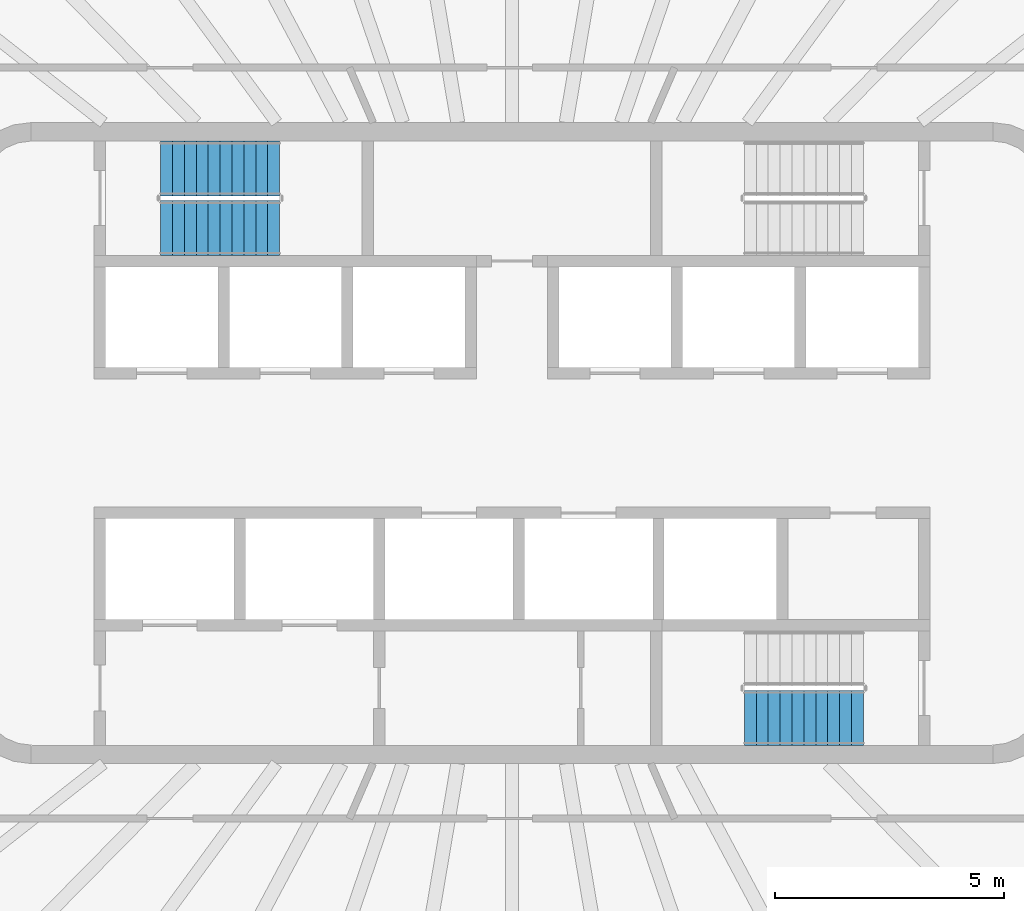
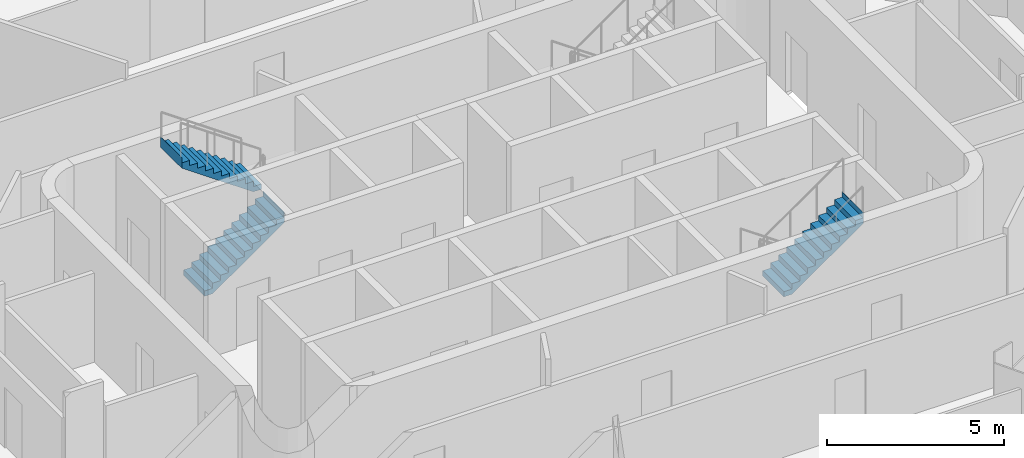
# One storey, part 12 of 18: 3 stair flights, 2 elements without a shape of their own.
"""IFC4 building model written with IfcOpenShell, lengths in metres."""

from ifc_helpers import new_model, si_unit, direction, frame, origin, place, context, subcontext, project, spatial, triangles, material, type_object, element, aggregate, save


model = new_model("IFC4")

# Units and contexts
model_context = context("Model", 3, precision=1e-05, world=origin(), true_north=direction((0.0, 1.0)))
body_context = subcontext(model_context, "Body", "Model", "MODEL_VIEW")
ifc_project = project(units=[si_unit("LENGTHUNIT", "METRE"), si_unit("AREAUNIT", "SQUARE_METRE"), si_unit("VOLUMEUNIT", "CUBIC_METRE"), si_unit("PLANEANGLEUNIT", "RADIAN"), si_unit("MASSUNIT", "GRAM", prefix="KILO")], contexts=[model_context])

# Site, building, storey
site_placement = place(None, origin())
site = spatial("IfcSite", under=ifc_project, at=site_placement, CompositionType="ELEMENT")
building_placement = place(site_placement, origin())
building = spatial("IfcBuilding", under=site, at=building_placement, Name="Sahrelin Media Tower", CompositionType="ELEMENT")
storey_placement = place(building_placement, frame((0.0, 0.0, 312.39990234375)))
storey = spatial("IfcBuildingStorey", under=building, at=storey_placement, Name="L69", CompositionType="ELEMENT", Elevation=312.39990234375)

# Stair, stair flights
ifc_material = material(Name="Concrete C40/50", Category="concrete")
stair_type = type_object("IfcStairType", Name="Exit stair 1200", PredefinedType="HALF_TURN_STAIR", material=ifc_material)
placement = place(storey_placement, origin())
stair_1 = element("IfcStair", 1, at=placement, inside=storey, type_object=stair_type, Name="L69 Exit stair ST1", PredefinedType="HALF_TURN_STAIR")
stair_flight_type = type_object("IfcStairFlightType", Name="Stair flight 1200", PredefinedType="STRAIGHT", material=ifc_material)
stair_flight_1_placement = place(storey_placement, frame((-7.675048828125, 4.699951171875, 0.0), z_axis=(0.0, 0.0, 1.0), x_axis=(1.0, 0.0, 0.0)))
stair_flight_1 = element("IfcStairFlight", 2, at=stair_flight_1_placement, type_object=stair_flight_type, Name="ST1 flight 1", NumberOfRisers=11, NumberOfTreads=10, PredefinedType="STRAIGHT", RiserHeight=0.181818182, TreadLength=0.26, context=body_context, shape_type="Tessellation", body=[
    triangles([(0.261474609375, 0.60009765625, 0.0), (0.261474609375, 0.300048828125, 0.0), (0.261474609375, 0.0, 0.0), (0.261474609375, -0.300048828125, 0.0), (0.261474609375, -0.60009765625, 0.0), (2.60009765625, 0.60009765625, 1.63525390625), (2.60009765625, 0.300048828125, 1.63525390625), (2.60009765625, 0.0, 1.63525390625), (2.60009765625, -0.300048828125, 1.63525390625), (2.60009765625, -0.60009765625, 1.63525390625), (2.60009765625, 0.60009765625, 2.0), (2.60009765625, 0.300048828125, 2.0), (2.60009765625, 0.0, 2.0), (2.60009765625, -0.300048828125, 2.0), (2.60009765625, -0.60009765625, 2.0), (2.597900390625, 0.60009765625, 2.0), (2.597900390625, 0.300048828125, 2.0), (2.597900390625, 0.0, 2.0), (2.597900390625, -0.300048828125, 2.0), (2.597900390625, -0.60009765625, 2.0), (2.597900390625, 0.60009765625, 1.818115234375), (2.597900390625, 0.300048828125, 1.818115234375), (2.597900390625, 0.0, 1.818115234375), (2.597900390625, -0.300048828125, 1.818115234375), (2.597900390625, -0.60009765625, 1.818115234375), (2.340087890625, 0.60009765625, 1.818115234375), (2.340087890625, 0.300048828125, 1.818115234375), (2.340087890625, 0.0, 1.818115234375), (2.340087890625, -0.300048828125, 1.818115234375), (2.340087890625, -0.60009765625, 1.818115234375), (2.340087890625, 0.60009765625, 1.636474609375), (2.340087890625, 0.300048828125, 1.636474609375), (2.340087890625, 0.0, 1.636474609375), (2.340087890625, -0.300048828125, 1.636474609375), (2.340087890625, -0.60009765625, 1.636474609375), (2.080078125, 0.60009765625, 1.636474609375), (2.080078125, 0.300048828125, 1.636474609375), (2.080078125, 0.0, 1.636474609375), (2.080078125, -0.300048828125, 1.636474609375), (2.080078125, -0.60009765625, 1.636474609375), (2.080078125, 0.60009765625, 1.45458984375), (2.080078125, 0.300048828125, 1.45458984375), (2.080078125, 0.0, 1.45458984375), (2.080078125, -0.300048828125, 1.45458984375), (2.080078125, -0.60009765625, 1.45458984375), (1.820068359375, 0.60009765625, 1.45458984375), (1.820068359375, 0.300048828125, 1.45458984375), (1.820068359375, 0.0, 1.45458984375), (1.820068359375, -0.300048828125, 1.45458984375), (1.820068359375, -0.60009765625, 1.45458984375), (1.820068359375, 0.60009765625, 1.272705078125), (1.820068359375, 0.300048828125, 1.272705078125), (1.820068359375, 0.0, 1.272705078125), (1.820068359375, -0.300048828125, 1.272705078125), (1.820068359375, -0.60009765625, 1.272705078125), (1.56005859375, 0.60009765625, 1.272705078125), (1.56005859375, 0.300048828125, 1.272705078125), (1.56005859375, 0.0, 1.272705078125), (1.56005859375, -0.300048828125, 1.272705078125), (1.56005859375, -0.60009765625, 1.272705078125), (1.56005859375, 0.60009765625, 1.0908203125), (1.56005859375, 0.300048828125, 1.0908203125), (1.56005859375, 0.0, 1.0908203125), (1.56005859375, -0.300048828125, 1.0908203125), (1.56005859375, -0.60009765625, 1.0908203125), (1.300048828125, 0.60009765625, 1.0908203125), (1.300048828125, 0.300048828125, 1.0908203125), (1.300048828125, 0.0, 1.0908203125), (1.300048828125, -0.300048828125, 1.0908203125), (1.300048828125, -0.60009765625, 1.0908203125), (1.300048828125, 0.60009765625, 0.9091796875), (1.300048828125, 0.300048828125, 0.9091796875), (1.300048828125, 0.0, 0.9091796875), (1.300048828125, -0.300048828125, 0.9091796875), (1.300048828125, -0.60009765625, 0.9091796875), (1.0400390625, 0.60009765625, 0.9091796875), (1.0400390625, 0.300048828125, 0.9091796875), (1.0400390625, 0.0, 0.9091796875), (1.0400390625, -0.300048828125, 0.9091796875), (1.0400390625, -0.60009765625, 0.9091796875), (1.0400390625, 0.60009765625, 0.727294921875), (1.0400390625, 0.300048828125, 0.727294921875), (1.0400390625, 0.0, 0.727294921875), (1.0400390625, -0.300048828125, 0.727294921875), (1.0400390625, -0.60009765625, 0.727294921875), (0.780029296875, 0.60009765625, 0.727294921875), (0.780029296875, 0.300048828125, 0.727294921875), (0.780029296875, 0.0, 0.727294921875), (0.780029296875, -0.300048828125, 0.727294921875), (0.780029296875, -0.60009765625, 0.727294921875), (0.780029296875, 0.60009765625, 0.54541015625), (0.780029296875, 0.300048828125, 0.54541015625), (0.780029296875, 0.0, 0.54541015625), (0.780029296875, -0.300048828125, 0.54541015625), (0.780029296875, -0.60009765625, 0.54541015625), (0.52001953125, 0.60009765625, 0.54541015625), (0.52001953125, 0.300048828125, 0.54541015625), (0.52001953125, 0.0, 0.54541015625), (0.52001953125, -0.300048828125, 0.54541015625), (0.52001953125, -0.60009765625, 0.54541015625), (0.52001953125, 0.60009765625, 0.363525390625), (0.52001953125, 0.300048828125, 0.363525390625), (0.52001953125, 0.0, 0.363525390625), (0.52001953125, -0.300048828125, 0.363525390625), (0.52001953125, -0.60009765625, 0.363525390625), (0.260009765625, 0.60009765625, 0.363525390625), (0.260009765625, 0.300048828125, 0.363525390625), (0.260009765625, 0.0, 0.363525390625), (0.260009765625, -0.300048828125, 0.363525390625), (0.260009765625, -0.60009765625, 0.363525390625), (0.260009765625, 0.60009765625, 0.181884765625), (0.260009765625, 0.300048828125, 0.181884765625), (0.260009765625, 0.0, 0.181884765625), (0.260009765625, -0.300048828125, 0.181884765625), (0.260009765625, -0.60009765625, 0.181884765625), (0.0, 0.60009765625, 0.181884765625), (0.0, 0.300048828125, 0.181884765625), (0.0, 0.0, 0.181884765625), (0.0, -0.300048828125, 0.181884765625), (0.0, -0.60009765625, 0.181884765625), (0.0, 0.60009765625, 0.0), (0.0, 0.300048828125, 0.0), (0.0, 0.0, 0.0), (0.0, -0.300048828125, 0.0), (0.0, -0.60009765625, 0.0)], [[1, 6, 7], [1, 7, 2], [2, 7, 8], [2, 8, 3], [3, 8, 9], [3, 9, 4], [4, 9, 10], [4, 10, 5], [6, 11, 12], [6, 12, 7], [7, 12, 13], [7, 13, 8], [8, 13, 14], [8, 14, 9], [9, 14, 15], [9, 15, 10], [11, 16, 17], [11, 17, 12], [12, 17, 18], [12, 18, 13], [13, 18, 19], [13, 19, 14], [14, 19, 20], [14, 20, 15], [16, 21, 22], [16, 22, 17], [17, 22, 23], [17, 23, 18], [18, 23, 24], [18, 24, 19], [19, 24, 25], [19, 25, 20], [21, 26, 27], [21, 27, 22], [22, 27, 28], [22, 28, 23], [23, 28, 29], [23, 29, 24], [24, 29, 30], [24, 30, 25], [26, 31, 32], [26, 32, 27], [27, 32, 33], [27, 33, 28], [28, 33, 34], [28, 34, 29], [29, 34, 35], [29, 35, 30], [31, 36, 37], [31, 37, 32], [32, 37, 38], [32, 38, 33], [33, 38, 39], [33, 39, 34], [34, 39, 40], [34, 40, 35], [36, 41, 42], [36, 42, 37], [37, 42, 43], [37, 43, 38], [38, 43, 44], [38, 44, 39], [39, 44, 45], [39, 45, 40], [41, 46, 47], [41, 47, 42], [42, 47, 48], [42, 48, 43], [43, 48, 49], [43, 49, 44], [44, 49, 50], [44, 50, 45], [46, 51, 52], [46, 52, 47], [47, 52, 53], [47, 53, 48], [48, 53, 54], [48, 54, 49], [49, 54, 55], [49, 55, 50], [51, 56, 57], [51, 57, 52], [52, 57, 58], [52, 58, 53], [53, 58, 59], [53, 59, 54], [54, 59, 60], [54, 60, 55], [56, 61, 62], [56, 62, 57], [57, 62, 63], [57, 63, 58], [58, 63, 64], [58, 64, 59], [59, 64, 65], [59, 65, 60], [61, 66, 67], [61, 67, 62], [62, 67, 68], [62, 68, 63], [63, 68, 69], [63, 69, 64], [64, 69, 70], [64, 70, 65], [66, 71, 72], [66, 72, 67], [67, 72, 73], [67, 73, 68], [68, 73, 74], [68, 74, 69], [69, 74, 75], [69, 75, 70], [71, 76, 77], [71, 77, 72], [72, 77, 78], [72, 78, 73], [73, 78, 79], [73, 79, 74], [74, 79, 80], [74, 80, 75], [76, 81, 82], [76, 82, 77], [77, 82, 83], [77, 83, 78], [78, 83, 84], [78, 84, 79], [79, 84, 85], [79, 85, 80], [81, 86, 87], [81, 87, 82], [82, 87, 88], [82, 88, 83], [83, 88, 89], [83, 89, 84], [84, 89, 90], [84, 90, 85], [86, 91, 92], [86, 92, 87], [87, 92, 93], [87, 93, 88], [88, 93, 94], [88, 94, 89], [89, 94, 95], [89, 95, 90], [91, 96, 97], [91, 97, 92], [92, 97, 98], [92, 98, 93], [93, 98, 99], [93, 99, 94], [94, 99, 100], [94, 100, 95], [96, 101, 102], [96, 102, 97], [97, 102, 103], [97, 103, 98], [98, 103, 104], [98, 104, 99], [99, 104, 105], [99, 105, 100], [101, 106, 107], [101, 107, 102], [102, 107, 108], [102, 108, 103], [103, 108, 109], [103, 109, 104], [104, 109, 110], [104, 110, 105], [106, 111, 112], [106, 112, 107], [107, 112, 113], [107, 113, 108], [108, 113, 114], [108, 114, 109], [109, 114, 115], [109, 115, 110], [111, 116, 117], [111, 117, 112], [112, 117, 118], [112, 118, 113], [113, 118, 119], [113, 119, 114], [114, 119, 120], [114, 120, 115], [116, 121, 122], [116, 122, 117], [117, 122, 123], [117, 123, 118], [118, 123, 124], [118, 124, 119], [119, 124, 125], [119, 125, 120], [121, 1, 2], [121, 2, 122], [122, 2, 3], [122, 3, 123], [123, 3, 4], [123, 4, 124], [124, 4, 5], [124, 5, 125], [115, 120, 125], [111, 121, 116], [115, 105, 110], [111, 106, 101], [105, 95, 100], [101, 96, 91], [95, 85, 90], [91, 86, 81], [85, 75, 80], [81, 76, 71], [75, 65, 70], [71, 66, 61], [65, 55, 60], [61, 56, 51], [55, 45, 50], [51, 46, 41], [45, 35, 40], [41, 36, 31], [35, 25, 30], [31, 26, 21], [25, 15, 20], [21, 16, 11], [125, 5, 115], [121, 111, 1], [25, 10, 15], [21, 11, 6], [105, 115, 5], [101, 1, 111], [35, 10, 25], [31, 21, 6], [95, 105, 5], [91, 1, 101], [45, 10, 35], [41, 31, 6], [85, 95, 5], [81, 1, 91], [55, 10, 45], [51, 41, 6], [75, 85, 5], [71, 1, 81], [65, 10, 55], [61, 51, 6], [5, 10, 75], [1, 71, 6], [75, 10, 65], [71, 61, 6]], closed=True),
])
stair_flight_2_placement = place(storey_placement, frame((-5.074951171875, 6.0, 2.0), z_axis=(0.0, 0.0, 1.0), x_axis=(-1.0, 0.0, 0.0)))
stair_flight_2 = element("IfcStairFlight", 3, at=stair_flight_2_placement, type_object=stair_flight_type, Name="ST1 flight 2", NumberOfRisers=11, NumberOfTreads=10, PredefinedType="STRAIGHT", RiserHeight=0.181818182, TreadLength=0.26, context=body_context, shape_type="Tessellation", body=[
    triangles([(0.261474609375, 0.60009765625, 0.0), (0.261474609375, 0.300048828125, 0.0), (0.261474609375, 0.0, 0.0), (0.261474609375, -0.300048828125, 0.0), (0.261474609375, -0.60009765625, 0.0), (2.60009765625, 0.60009765625, 1.63525390625), (2.60009765625, 0.300048828125, 1.63525390625), (2.60009765625, 0.0, 1.63525390625), (2.60009765625, -0.300048828125, 1.63525390625), (2.60009765625, -0.60009765625, 1.63525390625), (2.60009765625, 0.60009765625, 2.0), (2.60009765625, 0.300048828125, 2.0), (2.60009765625, 0.0, 2.0), (2.60009765625, -0.300048828125, 2.0), (2.60009765625, -0.60009765625, 2.0), (2.597900390625, 0.60009765625, 2.0), (2.597900390625, 0.300048828125, 2.0), (2.597900390625, 0.0, 2.0), (2.597900390625, -0.300048828125, 2.0), (2.597900390625, -0.60009765625, 2.0), (2.597900390625, 0.60009765625, 1.818115234375), (2.597900390625, 0.300048828125, 1.818115234375), (2.597900390625, 0.0, 1.818115234375), (2.597900390625, -0.300048828125, 1.818115234375), (2.597900390625, -0.60009765625, 1.818115234375), (2.340087890625, 0.60009765625, 1.818115234375), (2.340087890625, 0.300048828125, 1.818115234375), (2.340087890625, 0.0, 1.818115234375), (2.340087890625, -0.300048828125, 1.818115234375), (2.340087890625, -0.60009765625, 1.818115234375), (2.340087890625, 0.60009765625, 1.636474609375), (2.340087890625, 0.300048828125, 1.636474609375), (2.340087890625, 0.0, 1.636474609375), (2.340087890625, -0.300048828125, 1.636474609375), (2.340087890625, -0.60009765625, 1.636474609375), (2.080078125, 0.60009765625, 1.636474609375), (2.080078125, 0.300048828125, 1.636474609375), (2.080078125, 0.0, 1.636474609375), (2.080078125, -0.300048828125, 1.636474609375), (2.080078125, -0.60009765625, 1.636474609375), (2.080078125, 0.60009765625, 1.45458984375), (2.080078125, 0.300048828125, 1.45458984375), (2.080078125, 0.0, 1.45458984375), (2.080078125, -0.300048828125, 1.45458984375), (2.080078125, -0.60009765625, 1.45458984375), (1.820068359375, 0.60009765625, 1.45458984375), (1.820068359375, 0.300048828125, 1.45458984375), (1.820068359375, 0.0, 1.45458984375), (1.820068359375, -0.300048828125, 1.45458984375), (1.820068359375, -0.60009765625, 1.45458984375), (1.820068359375, 0.60009765625, 1.272705078125), (1.820068359375, 0.300048828125, 1.272705078125), (1.820068359375, 0.0, 1.272705078125), (1.820068359375, -0.300048828125, 1.272705078125), (1.820068359375, -0.60009765625, 1.272705078125), (1.56005859375, 0.60009765625, 1.272705078125), (1.56005859375, 0.300048828125, 1.272705078125), (1.56005859375, 0.0, 1.272705078125), (1.56005859375, -0.300048828125, 1.272705078125), (1.56005859375, -0.60009765625, 1.272705078125), (1.56005859375, 0.60009765625, 1.0908203125), (1.56005859375, 0.300048828125, 1.0908203125), (1.56005859375, 0.0, 1.0908203125), (1.56005859375, -0.300048828125, 1.0908203125), (1.56005859375, -0.60009765625, 1.0908203125), (1.300048828125, 0.60009765625, 1.0908203125), (1.300048828125, 0.300048828125, 1.0908203125), (1.300048828125, 0.0, 1.0908203125), (1.300048828125, -0.300048828125, 1.0908203125), (1.300048828125, -0.60009765625, 1.0908203125), (1.300048828125, 0.60009765625, 0.9091796875), (1.300048828125, 0.300048828125, 0.9091796875), (1.300048828125, 0.0, 0.9091796875), (1.300048828125, -0.300048828125, 0.9091796875), (1.300048828125, -0.60009765625, 0.9091796875), (1.0400390625, 0.60009765625, 0.9091796875), (1.0400390625, 0.300048828125, 0.9091796875), (1.0400390625, 0.0, 0.9091796875), (1.0400390625, -0.300048828125, 0.9091796875), (1.0400390625, -0.60009765625, 0.9091796875), (1.0400390625, 0.60009765625, 0.727294921875), (1.0400390625, 0.300048828125, 0.727294921875), (1.0400390625, 0.0, 0.727294921875), (1.0400390625, -0.300048828125, 0.727294921875), (1.0400390625, -0.60009765625, 0.727294921875), (0.780029296875, 0.60009765625, 0.727294921875), (0.780029296875, 0.300048828125, 0.727294921875), (0.780029296875, 0.0, 0.727294921875), (0.780029296875, -0.300048828125, 0.727294921875), (0.780029296875, -0.60009765625, 0.727294921875), (0.780029296875, 0.60009765625, 0.54541015625), (0.780029296875, 0.300048828125, 0.54541015625), (0.780029296875, 0.0, 0.54541015625), (0.780029296875, -0.300048828125, 0.54541015625), (0.780029296875, -0.60009765625, 0.54541015625), (0.52001953125, 0.60009765625, 0.54541015625), (0.52001953125, 0.300048828125, 0.54541015625), (0.52001953125, 0.0, 0.54541015625), (0.52001953125, -0.300048828125, 0.54541015625), (0.52001953125, -0.60009765625, 0.54541015625), (0.52001953125, 0.60009765625, 0.363525390625), (0.52001953125, 0.300048828125, 0.363525390625), (0.52001953125, 0.0, 0.363525390625), (0.52001953125, -0.300048828125, 0.363525390625), (0.52001953125, -0.60009765625, 0.363525390625), (0.260009765625, 0.60009765625, 0.363525390625), (0.260009765625, 0.300048828125, 0.363525390625), (0.260009765625, 0.0, 0.363525390625), (0.260009765625, -0.300048828125, 0.363525390625), (0.260009765625, -0.60009765625, 0.363525390625), (0.260009765625, 0.60009765625, 0.181884765625), (0.260009765625, 0.300048828125, 0.181884765625), (0.260009765625, 0.0, 0.181884765625), (0.260009765625, -0.300048828125, 0.181884765625), (0.260009765625, -0.60009765625, 0.181884765625), (0.0, 0.60009765625, 0.181884765625), (0.0, 0.300048828125, 0.181884765625), (0.0, 0.0, 0.181884765625), (0.0, -0.300048828125, 0.181884765625), (0.0, -0.60009765625, 0.181884765625), (0.0, 0.60009765625, 0.0), (0.0, 0.300048828125, 0.0), (0.0, 0.0, 0.0), (0.0, -0.300048828125, 0.0), (0.0, -0.60009765625, 0.0)], [[1, 6, 7], [1, 7, 2], [2, 7, 8], [2, 8, 3], [3, 8, 9], [3, 9, 4], [4, 9, 10], [4, 10, 5], [6, 11, 12], [6, 12, 7], [7, 12, 13], [7, 13, 8], [8, 13, 14], [8, 14, 9], [9, 14, 15], [9, 15, 10], [11, 16, 17], [11, 17, 12], [12, 17, 18], [12, 18, 13], [13, 18, 19], [13, 19, 14], [14, 19, 20], [14, 20, 15], [16, 21, 22], [16, 22, 17], [17, 22, 23], [17, 23, 18], [18, 23, 24], [18, 24, 19], [19, 24, 25], [19, 25, 20], [21, 26, 27], [21, 27, 22], [22, 27, 28], [22, 28, 23], [23, 28, 29], [23, 29, 24], [24, 29, 30], [24, 30, 25], [26, 31, 32], [26, 32, 27], [27, 32, 33], [27, 33, 28], [28, 33, 34], [28, 34, 29], [29, 34, 35], [29, 35, 30], [31, 36, 37], [31, 37, 32], [32, 37, 38], [32, 38, 33], [33, 38, 39], [33, 39, 34], [34, 39, 40], [34, 40, 35], [36, 41, 42], [36, 42, 37], [37, 42, 43], [37, 43, 38], [38, 43, 44], [38, 44, 39], [39, 44, 45], [39, 45, 40], [41, 46, 47], [41, 47, 42], [42, 47, 48], [42, 48, 43], [43, 48, 49], [43, 49, 44], [44, 49, 50], [44, 50, 45], [46, 51, 52], [46, 52, 47], [47, 52, 53], [47, 53, 48], [48, 53, 54], [48, 54, 49], [49, 54, 55], [49, 55, 50], [51, 56, 57], [51, 57, 52], [52, 57, 58], [52, 58, 53], [53, 58, 59], [53, 59, 54], [54, 59, 60], [54, 60, 55], [56, 61, 62], [56, 62, 57], [57, 62, 63], [57, 63, 58], [58, 63, 64], [58, 64, 59], [59, 64, 65], [59, 65, 60], [61, 66, 67], [61, 67, 62], [62, 67, 68], [62, 68, 63], [63, 68, 69], [63, 69, 64], [64, 69, 70], [64, 70, 65], [66, 71, 72], [66, 72, 67], [67, 72, 73], [67, 73, 68], [68, 73, 74], [68, 74, 69], [69, 74, 75], [69, 75, 70], [71, 76, 77], [71, 77, 72], [72, 77, 78], [72, 78, 73], [73, 78, 79], [73, 79, 74], [74, 79, 80], [74, 80, 75], [76, 81, 82], [76, 82, 77], [77, 82, 83], [77, 83, 78], [78, 83, 84], [78, 84, 79], [79, 84, 85], [79, 85, 80], [81, 86, 87], [81, 87, 82], [82, 87, 88], [82, 88, 83], [83, 88, 89], [83, 89, 84], [84, 89, 90], [84, 90, 85], [86, 91, 92], [86, 92, 87], [87, 92, 93], [87, 93, 88], [88, 93, 94], [88, 94, 89], [89, 94, 95], [89, 95, 90], [91, 96, 97], [91, 97, 92], [92, 97, 98], [92, 98, 93], [93, 98, 99], [93, 99, 94], [94, 99, 100], [94, 100, 95], [96, 101, 102], [96, 102, 97], [97, 102, 103], [97, 103, 98], [98, 103, 104], [98, 104, 99], [99, 104, 105], [99, 105, 100], [101, 106, 107], [101, 107, 102], [102, 107, 108], [102, 108, 103], [103, 108, 109], [103, 109, 104], [104, 109, 110], [104, 110, 105], [106, 111, 112], [106, 112, 107], [107, 112, 113], [107, 113, 108], [108, 113, 114], [108, 114, 109], [109, 114, 115], [109, 115, 110], [111, 116, 117], [111, 117, 112], [112, 117, 118], [112, 118, 113], [113, 118, 119], [113, 119, 114], [114, 119, 120], [114, 120, 115], [116, 121, 122], [116, 122, 117], [117, 122, 123], [117, 123, 118], [118, 123, 124], [118, 124, 119], [119, 124, 125], [119, 125, 120], [121, 1, 2], [121, 2, 122], [122, 2, 3], [122, 3, 123], [123, 3, 4], [123, 4, 124], [124, 4, 5], [124, 5, 125], [115, 120, 125], [111, 121, 116], [115, 105, 110], [111, 106, 101], [105, 95, 100], [101, 96, 91], [95, 85, 90], [91, 86, 81], [85, 75, 80], [81, 76, 71], [75, 65, 70], [71, 66, 61], [65, 55, 60], [61, 56, 51], [55, 45, 50], [51, 46, 41], [45, 35, 40], [41, 36, 31], [35, 25, 30], [31, 26, 21], [25, 15, 20], [21, 16, 11], [125, 5, 115], [121, 111, 1], [25, 10, 15], [21, 11, 6], [105, 115, 5], [101, 1, 111], [35, 10, 25], [31, 21, 6], [95, 105, 5], [91, 1, 101], [45, 10, 35], [41, 31, 6], [85, 95, 5], [81, 1, 91], [55, 10, 45], [51, 41, 6], [75, 85, 5], [71, 1, 81], [65, 10, 55], [61, 51, 6], [5, 10, 75], [1, 71, 6], [75, 10, 65], [71, 61, 6]], closed=True),
])
aggregate(stair_1, [stair_flight_1, stair_flight_2])

# Stair, stair flight
stair_2 = element("IfcStair", 4, at=placement, inside=storey, type_object=stair_type, Name="L69 Exit stair ST2", PredefinedType="HALF_TURN_STAIR")
stair_flight_3_placement = place(storey_placement, frame((5.074951171875, -6.0, 2.0), z_axis=(0.0, 0.0, 1.0), x_axis=(1.0, 0.0, 0.0)))
stair_flight_3 = element("IfcStairFlight", 5, at=stair_flight_3_placement, type_object=stair_flight_type, Name="ST2 flight 2", NumberOfRisers=11, NumberOfTreads=10, PredefinedType="STRAIGHT", RiserHeight=0.181818182, TreadLength=0.26, context=body_context, shape_type="Tessellation", body=[
    triangles([(0.261474609375, 0.60009765625, 0.0), (0.261474609375, 0.300048828125, 0.0), (0.261474609375, 0.0, 0.0), (0.261474609375, -0.300048828125, 0.0), (0.261474609375, -0.60009765625, 0.0), (2.60009765625, 0.60009765625, 1.63525390625), (2.60009765625, 0.300048828125, 1.63525390625), (2.60009765625, 0.0, 1.63525390625), (2.60009765625, -0.300048828125, 1.63525390625), (2.60009765625, -0.60009765625, 1.63525390625), (2.60009765625, 0.60009765625, 2.0), (2.60009765625, 0.300048828125, 2.0), (2.60009765625, 0.0, 2.0), (2.60009765625, -0.300048828125, 2.0), (2.60009765625, -0.60009765625, 2.0), (2.597900390625, 0.60009765625, 2.0), (2.597900390625, 0.300048828125, 2.0), (2.597900390625, 0.0, 2.0), (2.597900390625, -0.300048828125, 2.0), (2.597900390625, -0.60009765625, 2.0), (2.597900390625, 0.60009765625, 1.818115234375), (2.597900390625, 0.300048828125, 1.818115234375), (2.597900390625, 0.0, 1.818115234375), (2.597900390625, -0.300048828125, 1.818115234375), (2.597900390625, -0.60009765625, 1.818115234375), (2.340087890625, 0.60009765625, 1.818115234375), (2.340087890625, 0.300048828125, 1.818115234375), (2.340087890625, 0.0, 1.818115234375), (2.340087890625, -0.300048828125, 1.818115234375), (2.340087890625, -0.60009765625, 1.818115234375), (2.340087890625, 0.60009765625, 1.636474609375), (2.340087890625, 0.300048828125, 1.636474609375), (2.340087890625, 0.0, 1.636474609375), (2.340087890625, -0.300048828125, 1.636474609375), (2.340087890625, -0.60009765625, 1.636474609375), (2.080078125, 0.60009765625, 1.636474609375), (2.080078125, 0.300048828125, 1.636474609375), (2.080078125, 0.0, 1.636474609375), (2.080078125, -0.300048828125, 1.636474609375), (2.080078125, -0.60009765625, 1.636474609375), (2.080078125, 0.60009765625, 1.45458984375), (2.080078125, 0.300048828125, 1.45458984375), (2.080078125, 0.0, 1.45458984375), (2.080078125, -0.300048828125, 1.45458984375), (2.080078125, -0.60009765625, 1.45458984375), (1.820068359375, 0.60009765625, 1.45458984375), (1.820068359375, 0.300048828125, 1.45458984375), (1.820068359375, 0.0, 1.45458984375), (1.820068359375, -0.300048828125, 1.45458984375), (1.820068359375, -0.60009765625, 1.45458984375), (1.820068359375, 0.60009765625, 1.272705078125), (1.820068359375, 0.300048828125, 1.272705078125), (1.820068359375, 0.0, 1.272705078125), (1.820068359375, -0.300048828125, 1.272705078125), (1.820068359375, -0.60009765625, 1.272705078125), (1.56005859375, 0.60009765625, 1.272705078125), (1.56005859375, 0.300048828125, 1.272705078125), (1.56005859375, 0.0, 1.272705078125), (1.56005859375, -0.300048828125, 1.272705078125), (1.56005859375, -0.60009765625, 1.272705078125), (1.56005859375, 0.60009765625, 1.0908203125), (1.56005859375, 0.300048828125, 1.0908203125), (1.56005859375, 0.0, 1.0908203125), (1.56005859375, -0.300048828125, 1.0908203125), (1.56005859375, -0.60009765625, 1.0908203125), (1.300048828125, 0.60009765625, 1.0908203125), (1.300048828125, 0.300048828125, 1.0908203125), (1.300048828125, 0.0, 1.0908203125), (1.300048828125, -0.300048828125, 1.0908203125), (1.300048828125, -0.60009765625, 1.0908203125), (1.300048828125, 0.60009765625, 0.9091796875), (1.300048828125, 0.300048828125, 0.9091796875), (1.300048828125, 0.0, 0.9091796875), (1.300048828125, -0.300048828125, 0.9091796875), (1.300048828125, -0.60009765625, 0.9091796875), (1.0400390625, 0.60009765625, 0.9091796875), (1.0400390625, 0.300048828125, 0.9091796875), (1.0400390625, 0.0, 0.9091796875), (1.0400390625, -0.300048828125, 0.9091796875), (1.0400390625, -0.60009765625, 0.9091796875), (1.0400390625, 0.60009765625, 0.727294921875), (1.0400390625, 0.300048828125, 0.727294921875), (1.0400390625, 0.0, 0.727294921875), (1.0400390625, -0.300048828125, 0.727294921875), (1.0400390625, -0.60009765625, 0.727294921875), (0.780029296875, 0.60009765625, 0.727294921875), (0.780029296875, 0.300048828125, 0.727294921875), (0.780029296875, 0.0, 0.727294921875), (0.780029296875, -0.300048828125, 0.727294921875), (0.780029296875, -0.60009765625, 0.727294921875), (0.780029296875, 0.60009765625, 0.54541015625), (0.780029296875, 0.300048828125, 0.54541015625), (0.780029296875, 0.0, 0.54541015625), (0.780029296875, -0.300048828125, 0.54541015625), (0.780029296875, -0.60009765625, 0.54541015625), (0.52001953125, 0.60009765625, 0.54541015625), (0.52001953125, 0.300048828125, 0.54541015625), (0.52001953125, 0.0, 0.54541015625), (0.52001953125, -0.300048828125, 0.54541015625), (0.52001953125, -0.60009765625, 0.54541015625), (0.52001953125, 0.60009765625, 0.363525390625), (0.52001953125, 0.300048828125, 0.363525390625), (0.52001953125, 0.0, 0.363525390625), (0.52001953125, -0.300048828125, 0.363525390625), (0.52001953125, -0.60009765625, 0.363525390625), (0.260009765625, 0.60009765625, 0.363525390625), (0.260009765625, 0.300048828125, 0.363525390625), (0.260009765625, 0.0, 0.363525390625), (0.260009765625, -0.300048828125, 0.363525390625), (0.260009765625, -0.60009765625, 0.363525390625), (0.260009765625, 0.60009765625, 0.181884765625), (0.260009765625, 0.300048828125, 0.181884765625), (0.260009765625, 0.0, 0.181884765625), (0.260009765625, -0.300048828125, 0.181884765625), (0.260009765625, -0.60009765625, 0.181884765625), (0.0, 0.60009765625, 0.181884765625), (0.0, 0.300048828125, 0.181884765625), (0.0, 0.0, 0.181884765625), (0.0, -0.300048828125, 0.181884765625), (0.0, -0.60009765625, 0.181884765625), (0.0, 0.60009765625, 0.0), (0.0, 0.300048828125, 0.0), (0.0, 0.0, 0.0), (0.0, -0.300048828125, 0.0), (0.0, -0.60009765625, 0.0)], [[1, 6, 7], [1, 7, 2], [2, 7, 8], [2, 8, 3], [3, 8, 9], [3, 9, 4], [4, 9, 10], [4, 10, 5], [6, 11, 12], [6, 12, 7], [7, 12, 13], [7, 13, 8], [8, 13, 14], [8, 14, 9], [9, 14, 15], [9, 15, 10], [11, 16, 17], [11, 17, 12], [12, 17, 18], [12, 18, 13], [13, 18, 19], [13, 19, 14], [14, 19, 20], [14, 20, 15], [16, 21, 22], [16, 22, 17], [17, 22, 23], [17, 23, 18], [18, 23, 24], [18, 24, 19], [19, 24, 25], [19, 25, 20], [21, 26, 27], [21, 27, 22], [22, 27, 28], [22, 28, 23], [23, 28, 29], [23, 29, 24], [24, 29, 30], [24, 30, 25], [26, 31, 32], [26, 32, 27], [27, 32, 33], [27, 33, 28], [28, 33, 34], [28, 34, 29], [29, 34, 35], [29, 35, 30], [31, 36, 37], [31, 37, 32], [32, 37, 38], [32, 38, 33], [33, 38, 39], [33, 39, 34], [34, 39, 40], [34, 40, 35], [36, 41, 42], [36, 42, 37], [37, 42, 43], [37, 43, 38], [38, 43, 44], [38, 44, 39], [39, 44, 45], [39, 45, 40], [41, 46, 47], [41, 47, 42], [42, 47, 48], [42, 48, 43], [43, 48, 49], [43, 49, 44], [44, 49, 50], [44, 50, 45], [46, 51, 52], [46, 52, 47], [47, 52, 53], [47, 53, 48], [48, 53, 54], [48, 54, 49], [49, 54, 55], [49, 55, 50], [51, 56, 57], [51, 57, 52], [52, 57, 58], [52, 58, 53], [53, 58, 59], [53, 59, 54], [54, 59, 60], [54, 60, 55], [56, 61, 62], [56, 62, 57], [57, 62, 63], [57, 63, 58], [58, 63, 64], [58, 64, 59], [59, 64, 65], [59, 65, 60], [61, 66, 67], [61, 67, 62], [62, 67, 68], [62, 68, 63], [63, 68, 69], [63, 69, 64], [64, 69, 70], [64, 70, 65], [66, 71, 72], [66, 72, 67], [67, 72, 73], [67, 73, 68], [68, 73, 74], [68, 74, 69], [69, 74, 75], [69, 75, 70], [71, 76, 77], [71, 77, 72], [72, 77, 78], [72, 78, 73], [73, 78, 79], [73, 79, 74], [74, 79, 80], [74, 80, 75], [76, 81, 82], [76, 82, 77], [77, 82, 83], [77, 83, 78], [78, 83, 84], [78, 84, 79], [79, 84, 85], [79, 85, 80], [81, 86, 87], [81, 87, 82], [82, 87, 88], [82, 88, 83], [83, 88, 89], [83, 89, 84], [84, 89, 90], [84, 90, 85], [86, 91, 92], [86, 92, 87], [87, 92, 93], [87, 93, 88], [88, 93, 94], [88, 94, 89], [89, 94, 95], [89, 95, 90], [91, 96, 97], [91, 97, 92], [92, 97, 98], [92, 98, 93], [93, 98, 99], [93, 99, 94], [94, 99, 100], [94, 100, 95], [96, 101, 102], [96, 102, 97], [97, 102, 103], [97, 103, 98], [98, 103, 104], [98, 104, 99], [99, 104, 105], [99, 105, 100], [101, 106, 107], [101, 107, 102], [102, 107, 108], [102, 108, 103], [103, 108, 109], [103, 109, 104], [104, 109, 110], [104, 110, 105], [106, 111, 112], [106, 112, 107], [107, 112, 113], [107, 113, 108], [108, 113, 114], [108, 114, 109], [109, 114, 115], [109, 115, 110], [111, 116, 117], [111, 117, 112], [112, 117, 118], [112, 118, 113], [113, 118, 119], [113, 119, 114], [114, 119, 120], [114, 120, 115], [116, 121, 122], [116, 122, 117], [117, 122, 123], [117, 123, 118], [118, 123, 124], [118, 124, 119], [119, 124, 125], [119, 125, 120], [121, 1, 2], [121, 2, 122], [122, 2, 3], [122, 3, 123], [123, 3, 4], [123, 4, 124], [124, 4, 5], [124, 5, 125], [115, 120, 125], [111, 121, 116], [115, 105, 110], [111, 106, 101], [105, 95, 100], [101, 96, 91], [95, 85, 90], [91, 86, 81], [85, 75, 80], [81, 76, 71], [75, 65, 70], [71, 66, 61], [65, 55, 60], [61, 56, 51], [55, 45, 50], [51, 46, 41], [45, 35, 40], [41, 36, 31], [35, 25, 30], [31, 26, 21], [25, 15, 20], [21, 16, 11], [125, 5, 115], [121, 111, 1], [25, 10, 15], [21, 11, 6], [105, 115, 5], [101, 1, 111], [35, 10, 25], [31, 21, 6], [95, 105, 5], [91, 1, 101], [45, 10, 35], [41, 31, 6], [85, 95, 5], [81, 1, 91], [55, 10, 45], [51, 41, 6], [75, 85, 5], [71, 1, 81], [65, 10, 55], [61, 51, 6], [5, 10, 75], [1, 71, 6], [75, 10, 65], [71, 61, 6]], closed=True),
])
aggregate(stair_2, [stair_flight_3])

save(model, "model.ifc")
